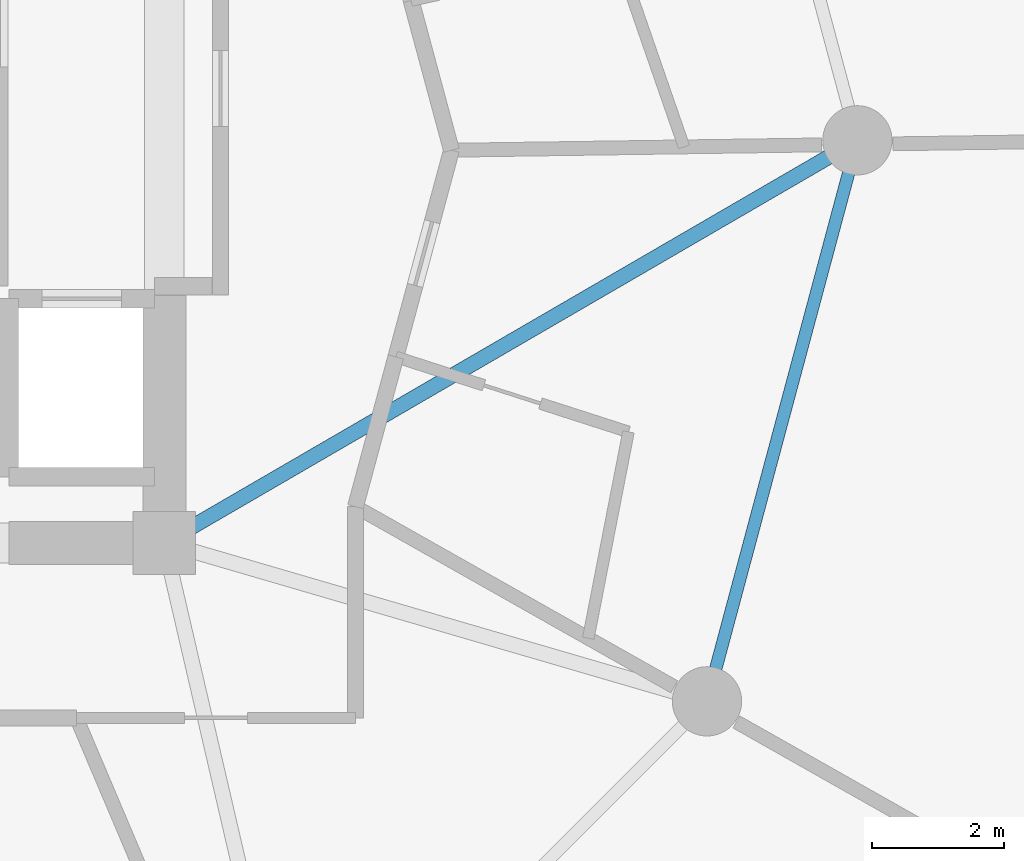
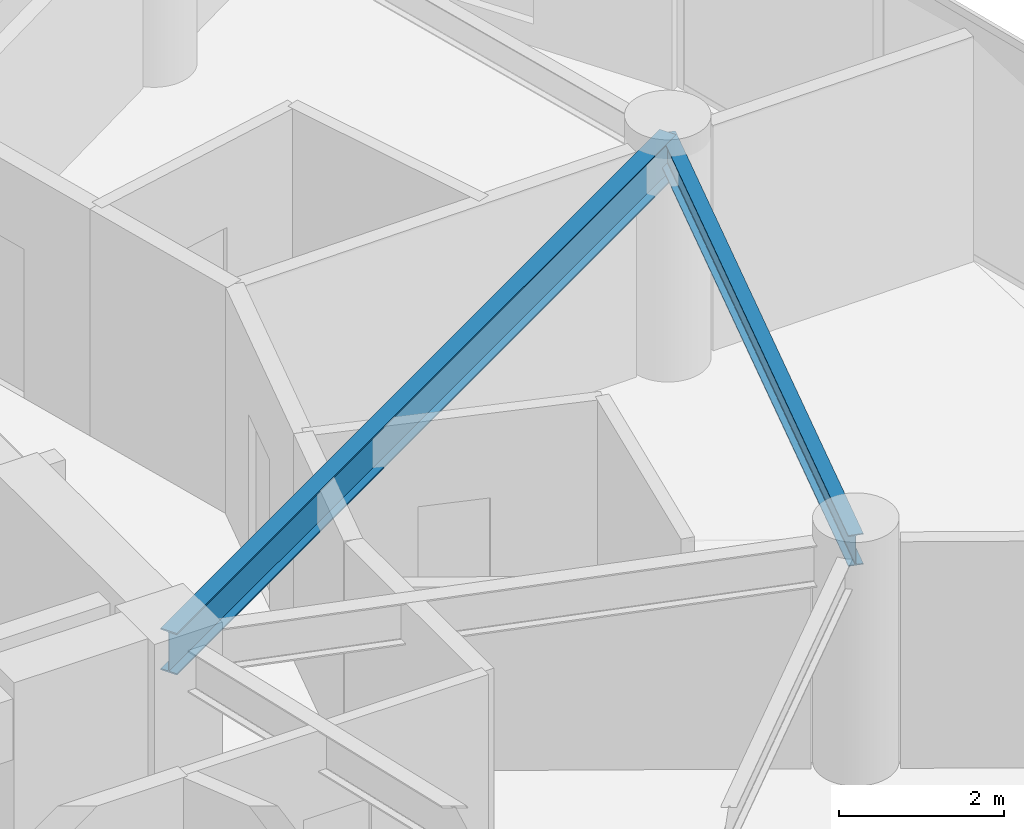
# One storey, part 12 of 25: 2 beams.
"""IFC4 building model written with IfcOpenShell, lengths in metres."""

from ifc_helpers import new_model, si_unit, direction, frame, origin, origin_2d, place, context, subcontext, project, spatial, i_section, extrude, material, material_profile, profile_set, type_object, element, save


model = new_model("IFC4")

# Units and contexts
model_context = context("Model", 3, precision=1e-05, world=origin(), true_north=direction((0.0, 1.0)))
body_context = subcontext(model_context, "Body", "Model", "MODEL_VIEW")
ifc_project = project(units=[si_unit("LENGTHUNIT", "METRE"), si_unit("AREAUNIT", "SQUARE_METRE"), si_unit("VOLUMEUNIT", "CUBIC_METRE"), si_unit("PLANEANGLEUNIT", "RADIAN"), si_unit("MASSUNIT", "GRAM", prefix="KILO")], contexts=[model_context])

# Site, building, storey
site_placement = place(None, origin())
site = spatial("IfcSite", under=ifc_project, at=site_placement, CompositionType="ELEMENT")
building_placement = place(site_placement, origin())
building = spatial("IfcBuilding", under=site, at=building_placement, Name="Solvirekh Grand Hotel", CompositionType="ELEMENT")
storey_placement = place(building_placement, frame((0.0, 0.0, 120.60009765625)))
storey = spatial("IfcBuildingStorey", under=building, at=storey_placement, Name="L30", CompositionType="ELEMENT", Elevation=120.60009765625)

# Beams
ifc_material = material(Name="Steel S355", Category="steel")
ifc_material_profile_1 = material_profile(ifc_material, i_section(OverallWidth=0.22802734375, OverallDepth=0.616943359375, WebThickness=0.012939453125, FlangeThickness=0.02001953125, FilletRadius=0.014892578125, at=origin_2d()), Name="W610X140")
ifc_profile_set_1 = profile_set([ifc_material_profile_1], Name="Steel S355")
beam_type_1 = type_object("IfcBeamType", Name="Beam_Radial_W610", PredefinedType="BEAM", material=ifc_profile_set_1)
beam_1_placement = place(storey_placement, frame((6.5, -6.10009765625, 3.0419921875), z_axis=(0.864670076815, 0.50234018181, 0.0), x_axis=(-0.50234018181, 0.864670076815, 0.0)))
element("IfcBeam", 1, at=beam_1_placement, inside=storey, type_object=beam_type_1, Name="L30 radial floor beam R01", PredefinedType="BEAM", context=body_context, shape_type="SweptSolid", body=[
    extrude(i_section(OverallWidth=0.22802734375, OverallDepth=0.616943359375, WebThickness=0.012939453125, FlangeThickness=0.02001953125, FilletRadius=0.014892578125, at=origin_2d()), origin(), (0.0, 0.0, 1.0), 12.143310546875),
])
ifc_material_profile_2 = material_profile(ifc_material, i_section(OverallWidth=0.18994140625, OverallDepth=0.45703125, WebThickness=0.009033203125, FlangeThickness=0.013916015625, FilletRadius=0.012939453125, at=origin_2d()), Name="W460X74")
ifc_profile_set_2 = profile_set([ifc_material_profile_2], Name="Steel S355")
beam_type_2 = type_object("IfcBeamType", Name="Spandrel_Ring_W460", PredefinedType="SPANDREL", material=ifc_profile_set_2)
beam_2_placement = place(storey_placement, frame((14.721923828125, -8.5, 3.121826171875), z_axis=(0.258872908946, 0.965911391906, 0.0), x_axis=(-0.965911391906, 0.258872908946, 0.0)))
element("IfcBeam", 2, at=beam_2_placement, inside=storey, type_object=beam_type_2, Name="L30 perimeter spandrel beam 12", PredefinedType="SPANDREL", context=body_context, shape_type="SweptSolid", body=[
    extrude(i_section(OverallWidth=0.18994140625, OverallDepth=0.45703125, WebThickness=0.009033203125, FlangeThickness=0.013916015625, FilletRadius=0.012939453125, at=origin_2d()), origin(), (0.0, 0.0, 1.0), 8.800048828125),
])

save(model, "model.ifc")
